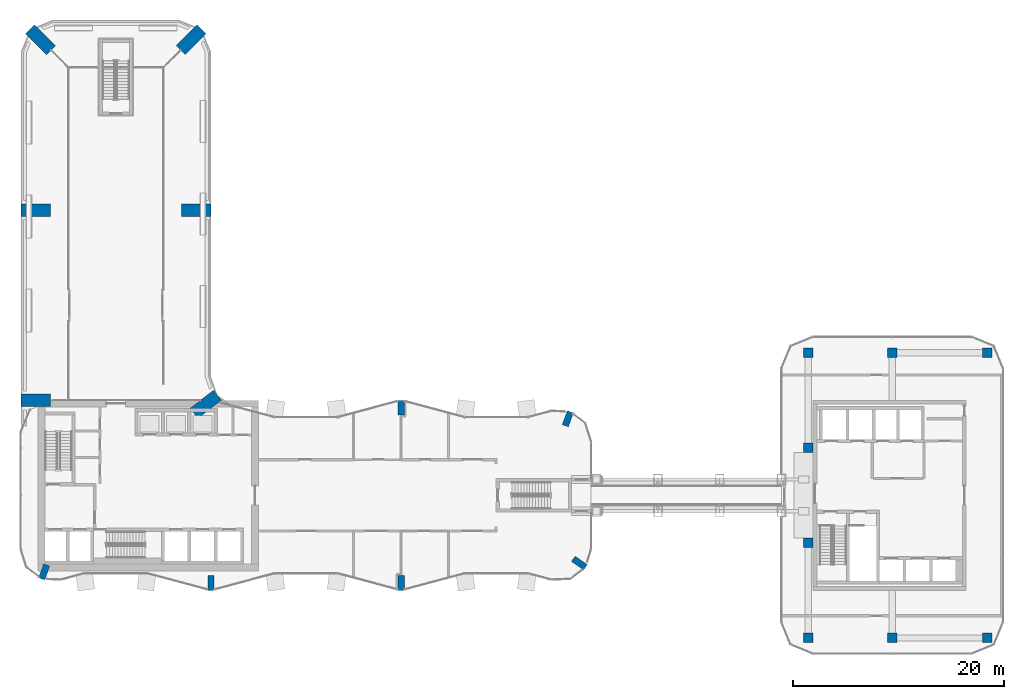
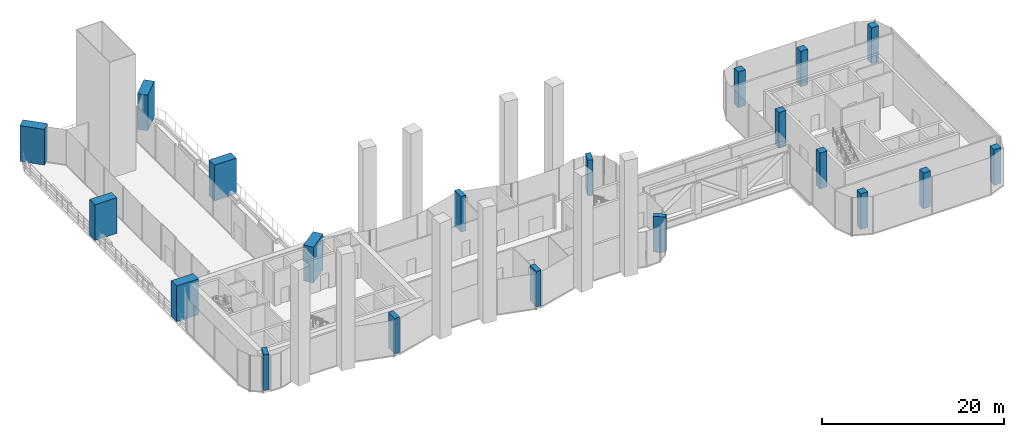
# One storey, part 1 of 23: 20 columns.
"""IFC4 building model written with IfcOpenShell, lengths in metres."""

from ifc_helpers import new_model, si_unit, direction, frame, origin, origin_2d, place, context, subcontext, project, spatial, rectangle, extrude, material, material_profile, profile_set, type_object, element, save


model = new_model("IFC4")

# Units and contexts
model_context = context("Model", 3, precision=1e-05, world=origin(), true_north=direction((0.0, 1.0)))
body_context = subcontext(model_context, "Body", "Model", "MODEL_VIEW")
ifc_project = project(units=[si_unit("LENGTHUNIT", "METRE"), si_unit("AREAUNIT", "SQUARE_METRE"), si_unit("VOLUMEUNIT", "CUBIC_METRE"), si_unit("PLANEANGLEUNIT", "RADIAN"), si_unit("MASSUNIT", "GRAM", prefix="KILO")], contexts=[model_context])

# Site, building, storey
site_placement = place(None, origin())
site = spatial("IfcSite", under=ifc_project, at=site_placement, CompositionType="ELEMENT")
building_placement = place(site_placement, origin())
building = spatial("IfcBuilding", under=site, at=building_placement, Name="Plateau Cross Towers", CompositionType="ELEMENT")
storey_placement = place(building_placement, frame((0.0, 0.0, 123.800048828125)))
storey = spatial("IfcBuildingStorey", under=building, at=storey_placement, Name="L32", CompositionType="ELEMENT", Elevation=123.800048828125)

# Columns
ifc_material = material(Name="Concrete C60/75", Category="concrete")
ifc_material_profile_1 = material_profile(ifc_material, rectangle(XDim=0.60009765625, YDim=1.39990234375, at=origin_2d()), Name="RC 600x1400")
ifc_profile_set_1 = profile_set([ifc_material_profile_1], Name="Concrete C60/75")
column_type_1 = type_object("IfcColumnType", Name="Fin pier column RC 600x1400", PredefinedType="COLUMN", material=ifc_profile_set_1)
for number, where, z_axis, x_axis, name in (
    (1, (18.0, 0.699951171875, 0.0), (0.0, 0.0, 1.0), (1.0, 0.0, 0.0), "PR1 L32"),
    (2, (36.0, 0.699951171875, 0.0), (0.0, 0.0, 1.0), (1.0, 0.0, 0.0), "PR2 L32"),
    (3, (52.884033203125, 2.590087890625, 0.0), (0.0, 0.0, 1.0), (0.573542637991, 0.819175709117, 0.0), "PR3 L32"),
    (4, (51.786865234375, 16.251953125, 0.0), (0.0, 0.0, 1.0), (-0.939664280925, 0.342097996418, 0.0), "PR4 L32"),
    (5, (36.0, 17.300048828125, 0.0), (0.0, 0.0, 1.0), (1.0, 0.0, 0.0), "PR5 L32"),
    (6, (2.213134765625, 1.748046875, 0.0), (0.0, 0.0, 1.0), (-0.939664280925, 0.342097996418, 0.0), "PR12 L32"),
):
    element("IfcColumn", number, at=place(storey_placement, frame(where, z_axis=z_axis, x_axis=x_axis)), inside=storey, type_object=column_type_1, Name=name, PredefinedType="COLUMN", context=body_context, shape_type="SweptSolid", body=[
        extrude(rectangle(XDim=0.60009765625, YDim=1.39990234375, at=origin_2d()), origin(), (0.0, 0.0, 1.0), 4.800048828125),
    ])
ifc_material_profile_2 = material_profile(ifc_material, rectangle(XDim=1.199951171875, YDim=2.800048828125, at=origin_2d()), Name="RC 1200x2800")
ifc_profile_set_2 = profile_set([ifc_material_profile_2], Name="Concrete C60/75")
column_type_2 = type_object("IfcColumnType", Name="Mega column RC 1200x2800", PredefinedType="COLUMN", material=ifc_profile_set_2)
for number, where, z_axis, x_axis, name in (
    (7, (17.509521484375, 17.62353515625, 0.0), (0.0, 0.0, 1.0), (-0.608810846443, 0.793315418515, 0.0), "A-MC6 L32"),
    (8, (16.60009765625, 36.0, 0.0), (0.0, 0.0, 1.0), (0.0, 1.0, 0.0), "A-MC7 L32"),
    (9, (16.13134765625, 52.13134765625, 0.0), (0.0, 0.0, 1.0), (-0.707106781187, 0.707106781187, 0.0), "A-MC8 L32"),
    (10, (1.86865234375, 52.13134765625, 0.0), (0.0, 0.0, 1.0), (0.707106781187, 0.707106781187, 0.0), "A-MC9 L32"),
    (11, (1.39990234375, 36.0, 0.0), (0.0, 0.0, 1.0), (0.0, 1.0, 0.0), "A-MC10 L32"),
    (12, (1.39990234375, 18.0, 0.0), (0.0, 0.0, 1.0), (0.0, 1.0, 0.0), "A-MC11 L32"),
):
    element("IfcColumn", number, at=place(storey_placement, frame(where, z_axis=z_axis, x_axis=x_axis)), inside=storey, type_object=column_type_2, Name=name, PredefinedType="COLUMN", context=body_context, shape_type="SweptSolid", body=[
        extrude(rectangle(XDim=1.199951171875, YDim=2.800048828125, at=origin_2d()), origin(), (0.0, 0.0, 1.0), 4.800048828125),
    ])
ifc_material_profile_3 = material_profile(ifc_material, rectangle(XDim=0.89990234375, YDim=0.89990234375, at=origin_2d()), Name="RC 900x900")
ifc_profile_set_3 = profile_set([ifc_material_profile_3], Name="Concrete C60/75")
column_type_3 = type_object("IfcColumnType", Name="Office column RC 900x900", PredefinedType="COLUMN", material=ifc_profile_set_3)
for number, where, z_axis, x_axis, name in (
    (13, (74.550048828125, -4.5, 0.0), (0.0, 0.0, 1.0), (1.0, 0.0, 0.0), "B-C746_-45 L32"),
    (14, (82.5, -4.5, 0.0), (0.0, 0.0, 1.0), (1.0, 0.0, 0.0), "B-C825_-45 L32"),
    (15, (91.5, -4.5, 0.0), (0.0, 0.0, 1.0), (1.0, 0.0, 0.0), "B-C915_-45 L32"),
    (16, (91.5, 22.5, 0.0), (0.0, 0.0, 1.0), (1.0, 0.0, 0.0), "B-C915_225 L32"),
    (17, (82.5, 22.5, 0.0), (0.0, 0.0, 1.0), (1.0, 0.0, 0.0), "B-C825_225 L32"),
    (18, (74.550048828125, 22.5, 0.0), (0.0, 0.0, 1.0), (1.0, 0.0, 0.0), "B-C746_225 L32"),
    (19, (74.550048828125, 13.5, 0.0), (0.0, 0.0, 1.0), (1.0, 0.0, 0.0), "B-C746_135 L32"),
    (20, (74.550048828125, 4.5, 0.0), (0.0, 0.0, 1.0), (1.0, 0.0, 0.0), "B-C746_45 L32"),
):
    element("IfcColumn", number, at=place(storey_placement, frame(where, z_axis=z_axis, x_axis=x_axis)), inside=storey, type_object=column_type_3, Name=name, PredefinedType="COLUMN", context=body_context, shape_type="SweptSolid", body=[
        extrude(rectangle(XDim=0.89990234375, YDim=0.89990234375, at=origin_2d()), origin(), (0.0, 0.0, 1.0), 4.800048828125),
    ])

save(model, "model.ifc")
